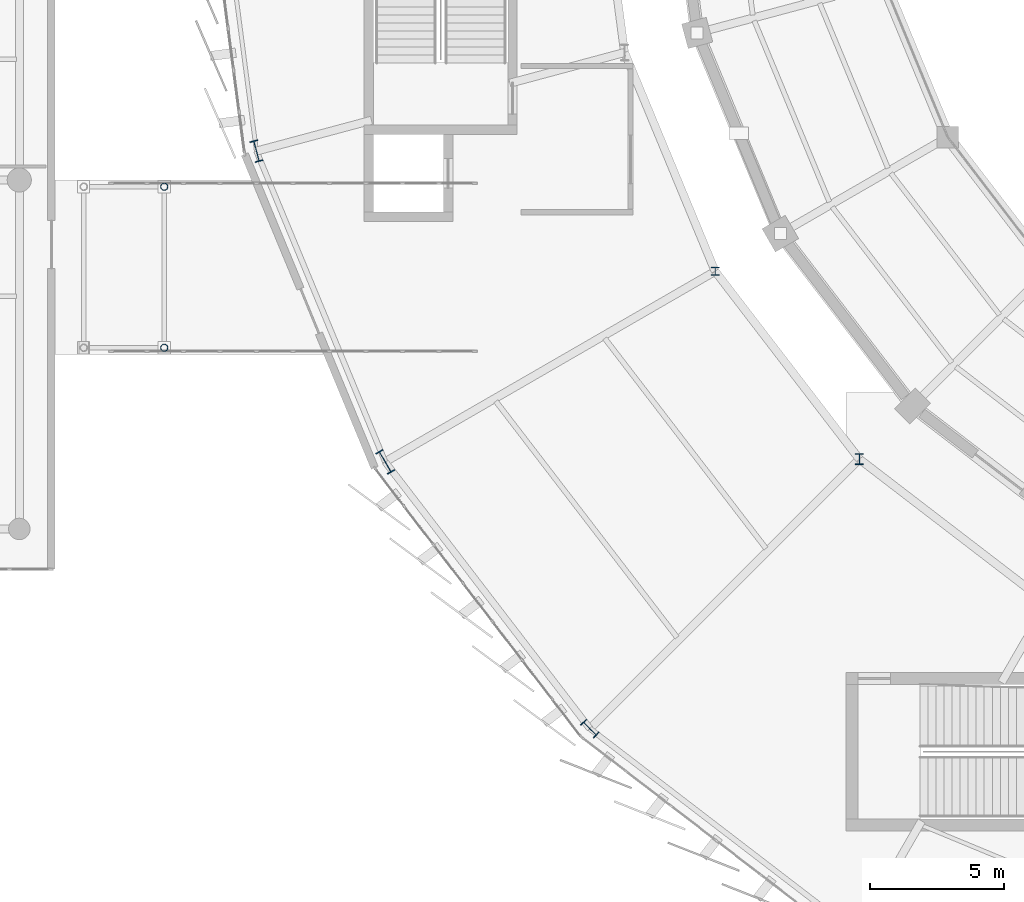
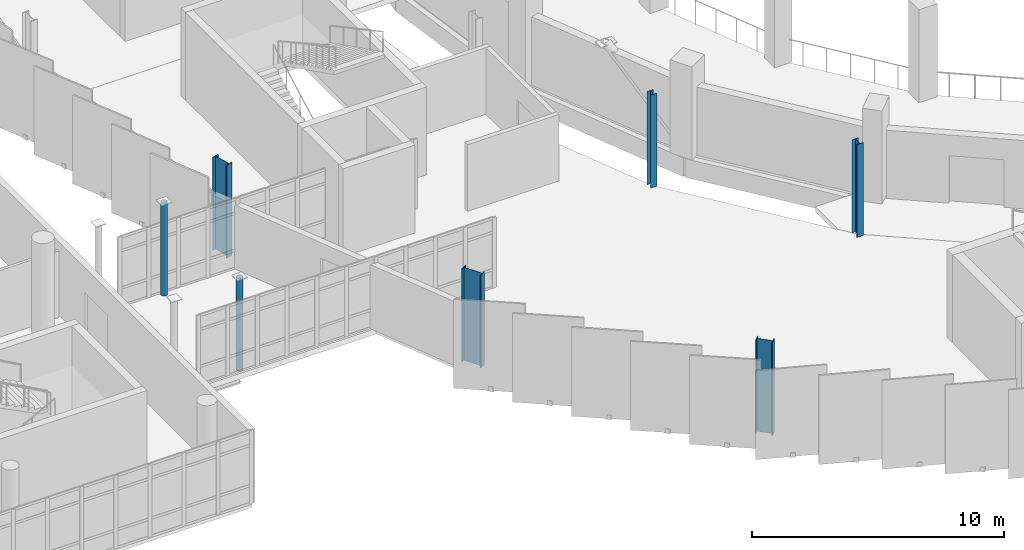
# One storey, part 3 of 125: 7 columns.
"""IFC4 building model written with IfcOpenShell, lengths in metres."""

from ifc_helpers import new_model, si_unit, direction, frame, origin, origin_2d, place, context, subcontext, project, spatial, hollow_circle, i_section, extrude, material, material_profile, profile_set, type_object, element, save


model = new_model("IFC4")

# Units and contexts
model_context = context("Model", 3, precision=1e-05, world=origin(), true_north=direction((0.0, 1.0)))
body_context = subcontext(model_context, "Body", "Model", "MODEL_VIEW")
ifc_project = project(units=[si_unit("LENGTHUNIT", "METRE"), si_unit("AREAUNIT", "SQUARE_METRE"), si_unit("VOLUMEUNIT", "CUBIC_METRE"), si_unit("PLANEANGLEUNIT", "RADIAN"), si_unit("MASSUNIT", "GRAM", prefix="KILO")], contexts=[model_context])

# Site, building, storey
site_placement = place(None, origin())
site = spatial("IfcSite", under=ifc_project, at=site_placement, CompositionType="ELEMENT")
building_placement = place(site_placement, origin())
building = spatial("IfcBuilding", under=site, at=building_placement, Name="Sohan Crest Arena", CompositionType="ELEMENT")
storey_placement = place(building_placement, frame((0.0, 0.0, 9.0)))
storey = spatial("IfcBuildingStorey", under=building, at=storey_placement, Name="L02", CompositionType="ELEMENT", Elevation=9.0)

# Columns
ifc_material = material(Name="Steel S355", Category="steel")
ifc_material_profile_1 = material_profile(ifc_material, i_section(OverallWidth=0.300048828125, OverallDepth=0.300048828125, WebThickness=0.010986328125, FlangeThickness=0.01904296875, at=origin_2d()), Name="HEB 300")
ifc_profile_set_1 = profile_set([ifc_material_profile_1], Name="Steel S355")
column_type_1 = type_object("IfcColumnType", Name="STR-COL-C17", PredefinedType="COLUMN", material=ifc_profile_set_1)
column_1_placement = place(storey_placement, frame((68.72802734375, 61.10009765625, 0.0), z_axis=(0.0, 0.0, 1.0), x_axis=(1.0, 0.0, 0.0)))
element("IfcColumn", 1, at=column_1_placement, inside=storey, type_object=column_type_1, Name="Structural column COL-V2I-09-L02", PredefinedType="COLUMN", context=body_context, shape_type="SweptSolid", body=[
    extrude(i_section(OverallWidth=0.300048828125, OverallDepth=0.300048828125, WebThickness=0.010986328125, FlangeThickness=0.01904296875, at=origin_2d()), origin(), (0.0, 0.0, 1.0), 4.5),
])
ifc_material_profile_2 = material_profile(ifc_material, i_section(OverallWidth=0.300048828125, OverallDepth=0.39990234375, WebThickness=0.013427734375, FlangeThickness=0.02392578125, at=origin_2d()), Name="HEB 400")
ifc_profile_set_2 = profile_set([ifc_material_profile_2], Name="Steel S355")
column_type_2 = type_object("IfcColumnType", Name="STR-COL-C18", PredefinedType="COLUMN", material=ifc_profile_set_2)
column_2_placement = place(storey_placement, frame((74.10009765625, 54.10009765625, 0.0), z_axis=(0.0, 0.0, 1.0), x_axis=(1.0, 0.0, 0.0)))
element("IfcColumn", 2, at=column_2_placement, inside=storey, type_object=column_type_2, Name="Structural column COL-V2I-10-L02", PredefinedType="COLUMN", context=body_context, shape_type="SweptSolid", body=[
    extrude(i_section(OverallWidth=0.300048828125, OverallDepth=0.39990234375, WebThickness=0.013427734375, FlangeThickness=0.02392578125, at=origin_2d()), origin(), (0.0, 0.0, 1.0), 4.5),
])
ifc_material_profile_3 = material_profile(ifc_material, i_section(OverallWidth=0.300048828125, OverallDepth=0.699951171875, WebThickness=0.01708984375, FlangeThickness=0.031982421875, at=origin_2d()), Name="HEB 700")
ifc_profile_set_3 = profile_set([ifc_material_profile_3], Name="Steel S355")
column_type_3 = type_object("IfcColumnType", Name="STR-COL-C21", PredefinedType="COLUMN", material=ifc_profile_set_3)
column_3_placement = place(storey_placement, frame((64.05908203125, 44.05908203125, 0.0), z_axis=(0.0, 0.0, 1.0), x_axis=(0.707106781187, 0.707106781187, 0.0)))
element("IfcColumn", 3, at=column_3_placement, inside=storey, type_object=column_type_3, Name="Structural column COL-V2O-10-L02", PredefinedType="COLUMN", context=body_context, shape_type="SweptSolid", body=[
    extrude(i_section(OverallWidth=0.300048828125, OverallDepth=0.699951171875, WebThickness=0.01708984375, FlangeThickness=0.031982421875, at=origin_2d()), origin(), (0.0, 0.0, 1.0), 4.5),
])
ifc_material_profile_4 = material_profile(ifc_material, i_section(OverallWidth=0.300048828125, OverallDepth=0.800048828125, WebThickness=0.017578125, FlangeThickness=0.032958984375, at=origin_2d()), Name="HEB 800")
ifc_profile_set_4 = profile_set([ifc_material_profile_4], Name="Steel S355")
column_type_4 = type_object("IfcColumnType", Name="STR-COL-C22", PredefinedType="COLUMN", material=ifc_profile_set_4)
column_4_placement = place(storey_placement, frame((51.635986328125, 65.576904296875, 0.0), z_axis=(0.0, 0.0, 1.0), x_axis=(0.965925826289, 0.258819045103, 0.0)))
element("IfcColumn", 4, at=column_4_placement, inside=storey, type_object=column_type_4, Name="Structural column COL-V2O-08-L02", PredefinedType="COLUMN", context=body_context, shape_type="SweptSolid", body=[
    extrude(i_section(OverallWidth=0.300048828125, OverallDepth=0.800048828125, WebThickness=0.017578125, FlangeThickness=0.032958984375, at=origin_2d()), origin(), (0.0, 0.0, 1.0), 4.5),
])
ifc_material_profile_5 = material_profile(ifc_material, i_section(OverallWidth=0.300048828125, OverallDepth=0.89990234375, WebThickness=0.0185546875, FlangeThickness=0.034912109375, at=origin_2d()), Name="HEB 900")
ifc_profile_set_5 = profile_set([ifc_material_profile_5], Name="Steel S355")
column_type_5 = type_object("IfcColumnType", Name="STR-COL-C23", PredefinedType="COLUMN", material=ifc_profile_set_5)
column_5_placement = place(storey_placement, frame((56.430908203125, 54.0, 0.0), z_axis=(0.0, 0.0, 1.0), x_axis=(0.866025403784, 0.5, 0.0)))
element("IfcColumn", 5, at=column_5_placement, inside=storey, type_object=column_type_5, Name="Structural column COL-V2O-09-L02", PredefinedType="COLUMN", context=body_context, shape_type="SweptSolid", body=[
    extrude(i_section(OverallWidth=0.300048828125, OverallDepth=0.89990234375, WebThickness=0.0185546875, FlangeThickness=0.034912109375, at=origin_2d()), origin(), (0.0, 0.0, 1.0), 4.5),
])
ifc_material_profile_6 = material_profile(ifc_material, hollow_circle(Radius=0.136474609375, WallThickness=0.012451171875, at=origin_2d()), Name="CHS 273x12.5")
ifc_profile_set_6 = profile_set([ifc_material_profile_6], Name="Steel S355")
column_type_6 = type_object("IfcColumnType", Name="STR-COL-C25", PredefinedType="COLUMN", material=ifc_profile_set_6)
for number, where, z_axis, x_axis, name in (
    (6, (48.199951171875, 58.25, 0.0), (0.0, 0.0, 1.0), (1.0, 0.0, 0.0), "Structural column COL-BC-BR-W1-2-L02"),
    (7, (48.199951171875, 64.25, 0.0), (0.0, 0.0, 1.0), (1.0, 0.0, 0.0), "Structural column COL-BC-BR-W1-4-L02"),
):
    element("IfcColumn", number, at=place(storey_placement, frame(where, z_axis=z_axis, x_axis=x_axis)), inside=storey, type_object=column_type_6, Name=name, PredefinedType="COLUMN", context=body_context, shape_type="SweptSolid", body=[
        extrude(hollow_circle(Radius=0.136474609375, WallThickness=0.012451171875, at=origin_2d()), origin(), (0.0, 0.0, 1.0), 4.5),
    ])

save(model, "model.ifc")
